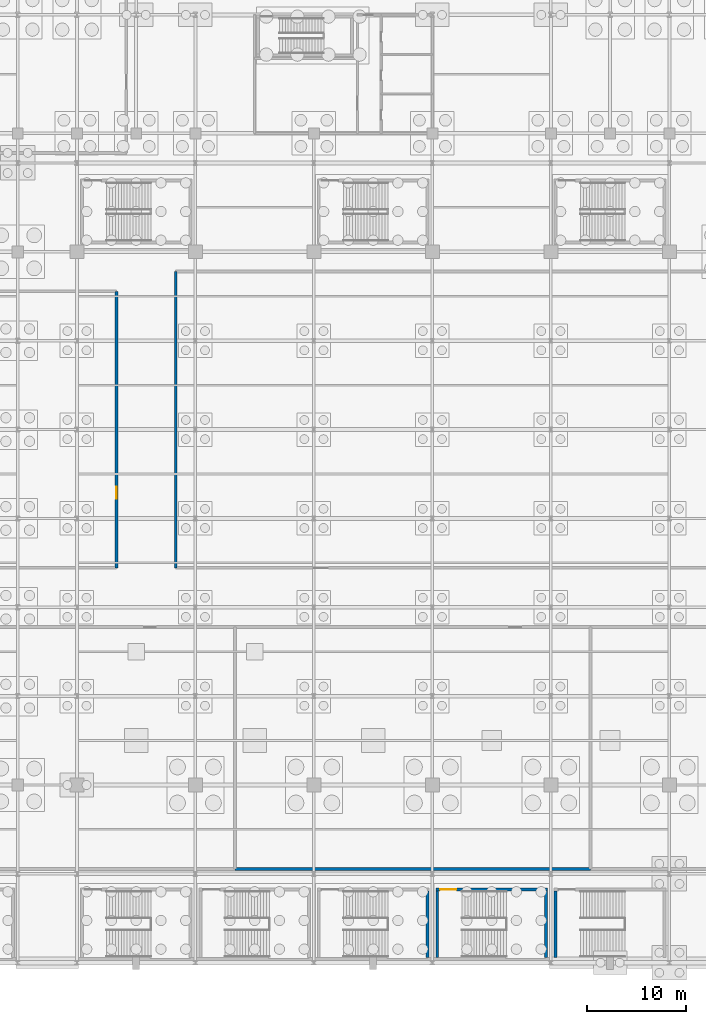
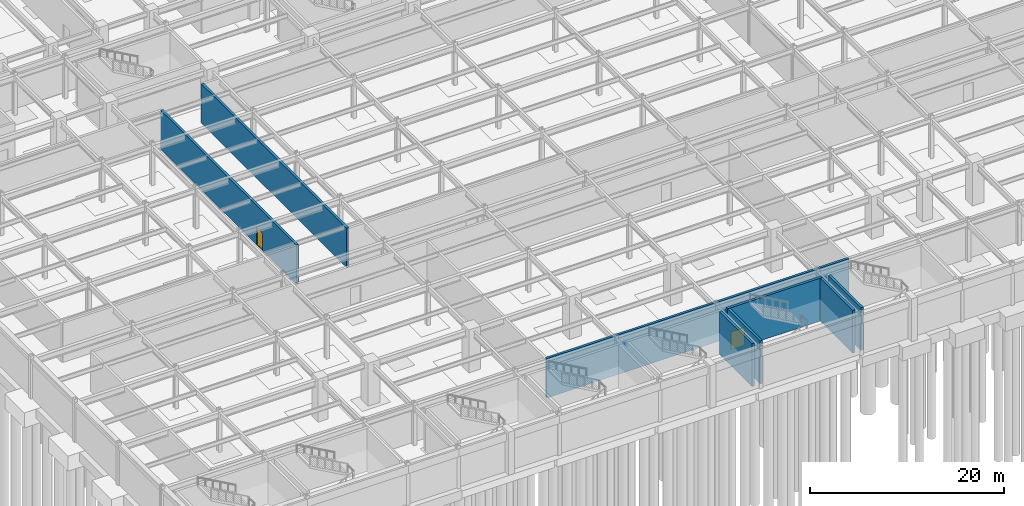
# One storey, part 25 of 47: 8 walls, 2 doors, 2 openings.
"""IFC4 building model written with IfcOpenShell, lengths in metres."""

from ifc_helpers import new_model, si_unit, direction, frame, frame_2d, origin, place, context, subcontext, project, spatial, rectangle, extrude, material, layer, layer_set, type_object, element, fill, save


model = new_model("IFC4")

# Units and contexts
model_context = context("Model", 3, precision=1e-05, world=origin(), true_north=direction((0.0, 1.0)))
body_context = subcontext(model_context, "Body", "Model", "MODEL_VIEW")
ifc_project = project(units=[si_unit("LENGTHUNIT", "METRE"), si_unit("AREAUNIT", "SQUARE_METRE"), si_unit("VOLUMEUNIT", "CUBIC_METRE"), si_unit("PLANEANGLEUNIT", "RADIAN"), si_unit("MASSUNIT", "GRAM", prefix="KILO")], contexts=[model_context])

# Site, building, storey
site_placement = place(None, origin())
site = spatial("IfcSite", under=ifc_project, at=site_placement, CompositionType="ELEMENT")
building_placement = place(site_placement, origin())
building = spatial("IfcBuilding", under=site, at=building_placement, Name="Kaldorvane Square Convention Centre", CompositionType="ELEMENT")
storey_placement = place(building_placement, frame((0.0, 0.0, -5.399993896484375)))
storey = spatial("IfcBuildingStorey", under=building, at=storey_placement, Name="B01", CompositionType="ELEMENT", Elevation=-5.399993896484375)

# Wall
ifc_material_1 = material(Name="Reinforced Concrete Masonry Acoustic Partition", Category="masonry")
ifc_layer_1 = layer(ifc_material_1, 0.279998779296875)
ifc_layer_set_1 = layer_set([ifc_layer_1], Name="Reinforced Concrete Masonry Acoustic Partition")
wall_type_1 = type_object("IfcWallType", Name="WL-ACO-280", PredefinedType="PARTITIONING", material=ifc_layer_set_1)
wall_1_placement = place(storey_placement, frame((46.0, 9.5, 0.0), z_axis=(0.0, 0.0, 1.0), x_axis=(1.0, 0.0, 0.0)))
element("IfcWall", 1, at=wall_1_placement, inside=storey, type_object=wall_type_1, Name="Condensing Boiler and Hydronic Pump Hall S Wall", PredefinedType="PARTITIONING", context=body_context, shape_type="SweptSolid", body=[
    extrude(rectangle(XDim=36.0, YDim=0.279998779296875, at=frame_2d((18.0, 0.0))), origin(), (0.0, 0.0, 1.0), 4.959991455078125),
])

# Wall, opening, door
wall_2_placement = place(storey_placement, frame((34.0, 40.0, 0.0), z_axis=(0.0, 0.0, 1.0), x_axis=(0.0, 1.0, 0.0)))
wall_2 = element("IfcWall", 2, at=wall_2_placement, inside=storey, type_object=wall_type_1, Name="Fire Pump and Domestic Booster Water Room E Wall", PredefinedType="PARTITIONING", context=body_context, shape_type="SweptSolid", body=[
    extrude(rectangle(XDim=28.0, YDim=0.279998779296875, at=frame_2d((14.0, 0.0))), origin(), (0.0, 0.0, 1.0), 4.959991455078125),
])
opening_1_placement = place(wall_2_placement, frame((7.0, 0.0, 0.0)))
opening_1 = element("IfcOpeningElement", 3, at=opening_1_placement, cuts=wall_2, Name="Opening ID-14", PredefinedType="OPENING", context=body_context, shape_type="SweptSolid", body=[
    extrude(rectangle(XDim=1.1999969482421875, YDim=2.1999969482421875, at=frame_2d((0.600006103515625, 1.100006103515625))), frame((0.0, 0.154998779296875, 0.0), z_axis=(0.0, -1.0, 0.0), x_axis=(1.0, 0.0, 0.0)), (0.0, 0.0, 1.0), 0.30999755859375),
])
ifc_material_2 = material(Name="Insulated Hollow Metal Steel", Category="steel")
door_type_1 = type_object("IfcDoorType", Name="DR-PLANT-1200X2200", OperationType="SINGLE_SWING_LEFT", PredefinedType="DOOR", material=ifc_material_2)
door_1_placement = place(opening_1_placement, origin())
door_1 = element("IfcDoor", 4, at=door_1_placement, inside=storey, type_object=door_type_1, Name="Fire Pump and Domestic Booster Water Room Door 1", OperationType="SINGLE_SWING_LEFT", OverallHeight=2.1999969482421875, OverallWidth=1.1999969482421875, PredefinedType="DOOR", context=body_context, shape_type="SweptSolid", body=[
    extrude(rectangle(XDim=1.1999969482421875, YDim=2.1999969482421875, at=frame_2d((0.600006103515625, 1.100006103515625))), frame((0.0, 0.024993896484375, 0.0), z_axis=(0.0, -1.0, 0.0), x_axis=(1.0, 0.0, 0.0)), (0.0, 0.0, 1.0), 0.0500030517578125),
])
fill(opening_1, door_1)

# Walls
wall_3_placement = place(storey_placement, frame((40.0, 70.0, 0.0), z_axis=(0.0, 0.0, 1.0), x_axis=(0.0, -1.0, 0.0)))
element("IfcWall", 5, at=wall_3_placement, inside=storey, type_object=wall_type_1, Name="Exhibition Crate Marshalling and Rigging Storage W Wall", PredefinedType="PARTITIONING", context=body_context, shape_type="SweptSolid", body=[
    extrude(rectangle(XDim=30.0, YDim=0.279998779296875, at=frame_2d((15.0, 0.0))), origin(), (0.0, 0.0, 1.0), 4.959991455078125),
])
ifc_material_3 = material(Name="Concrete f'c = 55 MPa (Normalweight)", Category="concrete")
ifc_layer_2 = layer(ifc_material_3, 0.3000030517578125)
ifc_layer_set_2 = layer_set([ifc_layer_2], Name="Concrete f'c = 55 MPa (Normalweight)")
wall_type_2 = type_object("IfcWallType", Name="WL-SHAFT-300", PredefinedType="SHEAR", material=ifc_layer_set_2)
wall_4_placement = place(storey_placement, frame((65.50999450683594, 0.5500030517578125, 0.0), z_axis=(0.0, 0.0, 1.0), x_axis=(0.0, 1.0, 0.0)))
element("IfcWall", 6, at=wall_4_placement, inside=storey, type_object=wall_type_2, Name="Core Enclosure Wall stair:ST-C5-E (B01)", PredefinedType="SHEAR", context=body_context, shape_type="SweptSolid", body=[
    extrude(rectangle(XDim=6.709991455078125, YDim=0.3000030517578125, at=frame_2d((3.3549957275390625, 0.0))), origin(), (0.0, 0.0, 1.0), 5.399993896484375),
])

# Wall, opening, door
wall_5_placement = place(storey_placement, frame((77.66000366210938, 7.410003662109375, 0.0), z_axis=(0.0, 0.0, 1.0), x_axis=(-1.0, 0.0, 0.0)))
wall_5 = element("IfcWall", 7, at=wall_5_placement, inside=storey, type_object=wall_type_2, Name="Core Enclosure Wall stair:ST-C6-N (B01)", PredefinedType="SHEAR", context=body_context, shape_type="SweptSolid", body=[
    extrude(rectangle(XDim=11.32000732421875, YDim=0.3000030517578125, at=frame_2d((5.660003662109375, 0.0))), origin(), (0.0, 0.0, 1.0), 5.399993896484375),
])
opening_2_placement = place(wall_5_placement, frame((9.220001220703125, 0.0, 0.0)))
opening_2 = element("IfcOpeningElement", 8, at=opening_2_placement, cuts=wall_5, Name="Opening FD90-S2", PredefinedType="OPENING", context=body_context, shape_type="SweptSolid", body=[
    extrude(rectangle(XDim=1.649993896484375, YDim=2.25, at=frame_2d((0.8249969482421875, 1.125))), frame((0.0, 0.165008544921875, 0.0), z_axis=(0.0, -1.0, 0.0), x_axis=(1.0, 0.0, 0.0)), (0.0, 0.0, 1.0), 0.3300018310546875),
])
ifc_material_4 = material(Name="Fire-Rated Hollow Metal Steel", Category="steel")
door_type_2 = type_object("IfcDoorType", Name="DR-STAIR-1650", OperationType="DOUBLE_DOOR_SINGLE_SWING", PredefinedType="DOOR", material=ifc_material_4)
door_2_placement = place(opening_2_placement, origin())
door_2 = element("IfcDoor", 9, at=door_2_placement, inside=storey, type_object=door_type_2, Name="Convention Exit Stair C6 Fire Door (B01)", OperationType="DOUBLE_DOOR_SINGLE_SWING", OverallHeight=2.25, OverallWidth=1.649993896484375, PredefinedType="DOOR", context=body_context, shape_type="SweptSolid", body=[
    extrude(rectangle(XDim=1.649993896484375, YDim=2.25, at=frame_2d((0.8249969482421875, 1.125))), frame((0.0, 0.024993896484375, 0.0), z_axis=(0.0, -1.0, 0.0), x_axis=(1.0, 0.0, 0.0)), (0.0, 0.0, 1.0), 0.0500030517578125),
])
fill(opening_2, door_2)

# Walls
for number, where, z_axis, x_axis, name in (
    (10, (66.49000549316406, 7.2599945068359375, 0.0), (0.0, 0.0, 1.0), (0.0, -1.0, 0.0), "Core Enclosure Wall stair:ST-C6-W (B01)"),
    (11, (77.50999450683594, 0.5500030517578125, 0.0), (0.0, 0.0, 1.0), (0.0, 1.0, 0.0), "Core Enclosure Wall stair:ST-C6-E (B01)"),
    (12, (78.49000549316406, 7.2599945068359375, 0.0), (0.0, 0.0, 1.0), (0.0, -1.0, 0.0), "Core Enclosure Wall stair:ST-C7-W (B01)"),
):
    element("IfcWall", number, at=place(storey_placement, frame(where, z_axis=z_axis, x_axis=x_axis)), inside=storey, type_object=wall_type_2, Name=name, PredefinedType="SHEAR", context=body_context, shape_type="SweptSolid", body=[
        extrude(rectangle(XDim=6.709991455078125, YDim=0.3000030517578125, at=frame_2d((3.3549957275390625, 0.0))), origin(), (0.0, 0.0, 1.0), 5.399993896484375),
    ])

save(model, "model.ifc")
